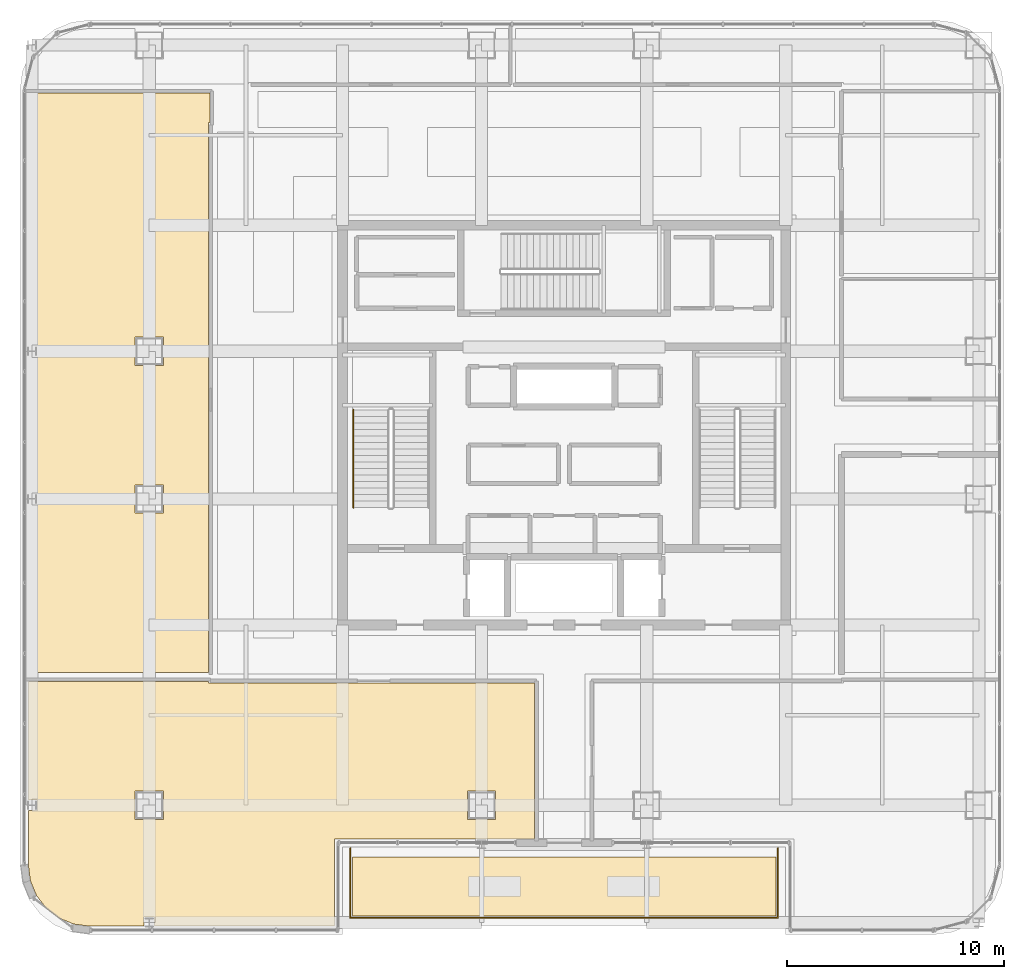
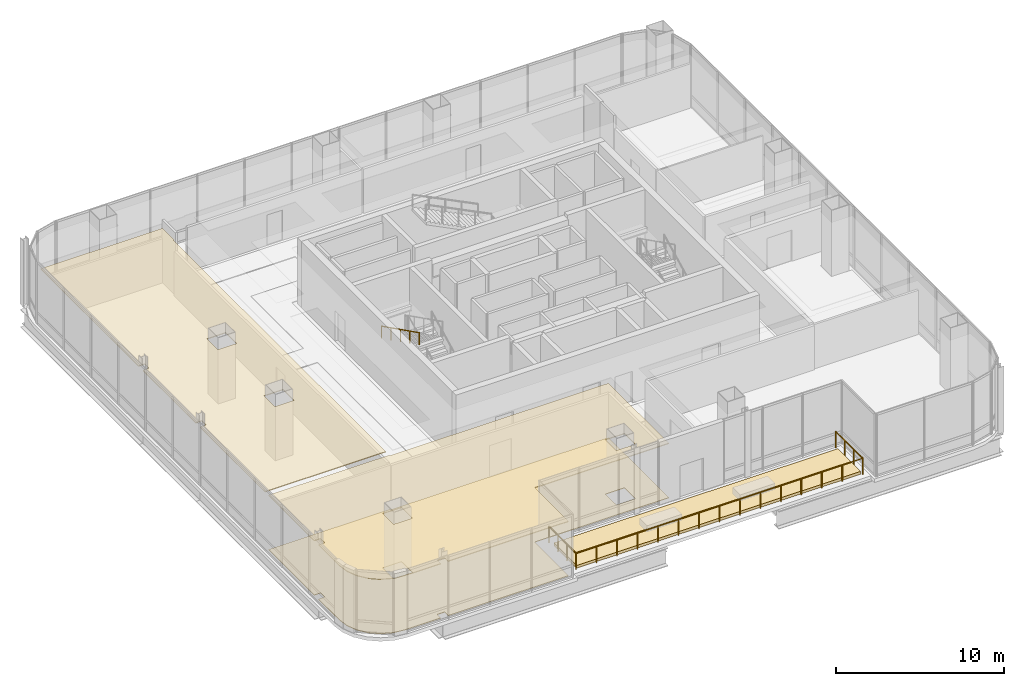
# One storey, part 39 of 44: 4 coverings, 2 railings.
"""IFC4 building model written with IfcOpenShell, lengths in metres."""

from ifc_helpers import new_model, si_unit, direction, frame, origin, origin_2d, place, context, subcontext, project, spatial, polyline, circle, outline, extrude, material, layer, layer_set, type_object, element, save


model = new_model("IFC4")

# Units and contexts
model_context = context("Model", 3, precision=1e-05, world=origin(), true_north=direction((0.0, 1.0)))
body_context = subcontext(model_context, "Body", "Model", "MODEL_VIEW")
ifc_project = project(units=[si_unit("LENGTHUNIT", "METRE"), si_unit("AREAUNIT", "SQUARE_METRE"), si_unit("VOLUMEUNIT", "CUBIC_METRE"), si_unit("PLANEANGLEUNIT", "RADIAN"), si_unit("MASSUNIT", "GRAM", prefix="KILO")], contexts=[model_context])

# Site, building, storey
site_placement = place(None, origin())
site = spatial("IfcSite", under=ifc_project, at=site_placement, CompositionType="ELEMENT")
building_placement = place(site_placement, origin())
building = spatial("IfcBuilding", under=site, at=building_placement, Name="Punatoya Terracotta Tower", CompositionType="ELEMENT")
storey_placement = place(building_placement, frame((0.0, 0.0, 334.199951171875)))
storey = spatial("IfcBuildingStorey", under=building, at=storey_placement, Name="L79", CompositionType="ELEMENT", Elevation=334.199951171875)

# Coverings
ifc_material_1 = material(Name="Acoustic Mineral Fibre Ceiling")
ifc_layer_1 = layer(ifc_material_1, 0.06005859375)
ifc_layer_set_1 = layer_set([ifc_layer_1], Name="Acoustic Mineral Fibre Ceiling")
covering_type_1 = type_object("IfcCoveringType", Name="COV-CEIL-60", PredefinedType="CEILING", material=ifc_layer_set_1)
covering_1_placement = place(storey_placement, frame((0.0, 0.0, 3.929931640625)))
element("IfcCovering", 1, at=covering_1_placement, inside=storey, type_object=covering_type_1, Name="L79 Waterfront Observation Gallery Acoustic Ceiling", PredefinedType="CEILING", context=body_context, shape_type="SweptSolid", body=[
    extrude(outline(polyline([(-18.849609375, -23.070068359375), (-10.580078125, -23.070068359375), (-10.580078125, -19.050048828125), (-1.3701171875, -19.050048828125), (-1.3701171875, -11.8701171875), (-16.3701171875, -11.8701171875), (-16.3701171875, -11.81005859375), (-24.669921875, -11.81005859375), (-24.669921875, -17.25048828125), (-24.24951171875, -17.25048828125), (-24.24951171875, -17.74951171875), (-24.669921875, -17.74951171875), (-24.669921875, -20.22509765625), (-24.57080078125, -20.97900390625), (-24.289306640625, -21.658203125), (-23.841796875, -22.24169921875), (-23.25830078125, -22.689453125), (-22.5791015625, -22.970703125), (-21.8251953125, -23.070068359375), (-19.3505859375, -23.070068359375), (-19.3505859375, -22.650390625), (-18.849609375, -22.650390625), (-18.849609375, -23.070068359375)]), holes=[polyline([(-4.449951171875, -16.85009765625), (-3.14990234375, -16.85009765625), (-3.14990234375, -18.14990234375), (-4.449951171875, -18.14990234375), (-4.449951171875, -16.85009765625)]), polyline([(-19.75, -18.14990234375), (-19.75, -16.85009765625), (-18.449951171875, -16.85009765625), (-18.449951171875, -18.14990234375), (-19.75, -18.14990234375)])]), origin(), (0.0, 0.0, 1.0), 0.06005859375),
])
covering_2_placement = place(storey_placement, frame((0.0, 0.0, 3.929931640625)))
element("IfcCovering", 2, at=covering_2_placement, inside=storey, type_object=covering_type_1, Name="L79 Panoramic Photography Studio Acoustic Ceiling", PredefinedType="CEILING", context=body_context, shape_type="SweptSolid", body=[
    extrude(outline(polyline([(-24.24951171875, -3.150390625), (-24.24951171875, -3.6494140625), (-24.669921875, -3.6494140625), (-24.669921875, -11.389892578125), (-16.3701171875, -11.389892578125), (-16.3701171875, 13.919921875), (-16.31005859375, 13.919921875), (-16.31005859375, 15.2900390625), (-24.669921875, 15.2900390625), (-24.669921875, 3.6494140625), (-24.24951171875, 3.6494140625), (-24.24951171875, 3.150390625), (-24.669921875, 3.150390625), (-24.669921875, -3.150390625), (-24.24951171875, -3.150390625)]), holes=[polyline([(-18.449951171875, -4.050048828125), (-19.75, -4.050048828125), (-19.75, -2.75), (-18.449951171875, -2.75), (-18.449951171875, -4.050048828125)]), polyline([(-18.449951171875, 4.050048828125), (-18.449951171875, 2.75), (-19.75, 2.75), (-19.75, 4.050048828125), (-18.449951171875, 4.050048828125)])]), origin(), (0.0, 0.0, 1.0), 0.06005859375),
])
ifc_material_2 = material(Name="Sandstone & Raised Access Flooring", Category="masonry")
ifc_layer_2 = layer(ifc_material_2, 0.080078125)
ifc_layer_set_2 = layer_set([ifc_layer_2], Name="Sandstone & Raised Access Flooring")
covering_type_2 = type_object("IfcCoveringType", Name="COV-FLR-80", PredefinedType="FLOORING", material=ifc_layer_set_2)
covering_3_placement = place(storey_placement, origin())
element("IfcCovering", 3, at=covering_3_placement, inside=storey, type_object=covering_type_2, Name="L79 Waterfront Observation Gallery Stone Floor Finish", PredefinedType="FLOORING", context=body_context, shape_type="SweptSolid", body=[
    extrude(outline(polyline([(-18.849609375, -23.070068359375), (-10.580078125, -23.070068359375), (-10.580078125, -19.050048828125), (-1.3701171875, -19.050048828125), (-1.3701171875, -11.8701171875), (-16.3701171875, -11.8701171875), (-16.3701171875, -11.81005859375), (-24.669921875, -11.81005859375), (-24.669921875, -17.25048828125), (-24.24951171875, -17.25048828125), (-24.24951171875, -17.74951171875), (-24.669921875, -17.74951171875), (-24.669921875, -20.22509765625), (-24.57080078125, -20.97900390625), (-24.289306640625, -21.658203125), (-23.841796875, -22.24169921875), (-23.25830078125, -22.689453125), (-22.5791015625, -22.970703125), (-21.8251953125, -23.070068359375), (-19.3505859375, -23.070068359375), (-19.3505859375, -22.650390625), (-18.849609375, -22.650390625), (-18.849609375, -23.070068359375)]), holes=[polyline([(-4.449951171875, -16.85009765625), (-3.14990234375, -16.85009765625), (-3.14990234375, -18.14990234375), (-4.449951171875, -18.14990234375), (-4.449951171875, -16.85009765625)]), polyline([(-19.75, -18.14990234375), (-19.75, -16.85009765625), (-18.449951171875, -16.85009765625), (-18.449951171875, -18.14990234375), (-19.75, -18.14990234375)])]), origin(), (0.0, 0.0, 1.0), 0.0400390625),
])
ifc_material_3 = material(Name="Green Roof Planting Soil Medium")
ifc_layer_3 = layer(ifc_material_3, 0.35009765625)
ifc_layer_set_3 = layer_set([ifc_layer_3], Name="Green Roof Planting Soil Medium")
covering_type_3 = type_object("IfcCoveringType", Name="COV-TER-350", PredefinedType="ROOFING", material=ifc_layer_set_3)
covering_4_placement = place(storey_placement, origin())
element("IfcCovering", 4, at=covering_4_placement, inside=storey, type_object=covering_type_3, Name="L79 L79 Public Waterfront Lookout Terrace Planted Soil Bed", PredefinedType="ROOFING", context=body_context, shape_type="SweptSolid", body=[
    extrude(outline(polyline([(-9.75, -22.60009765625), (9.75, -22.60009765625), (9.75, -19.8798828125), (-9.75, -19.8798828125), (-9.75, -22.60009765625)])), origin(), (0.0, 0.0, 1.0), 0.199951171875),
])

# Railings
ifc_material_4 = material(Name="Steel S355", Category="steel")
railing_type_1 = type_object("IfcRailingType", Name="RLG-BAL-1200", PredefinedType="BALUSTRADE", material=ifc_material_4)
railing_1_placement = place(storey_placement, frame((-9.840087890625, -19.47998046875, 0.0)))
element("IfcRailing", 5, at=railing_1_placement, inside=storey, type_object=railing_type_1, Name="L79 L79 Public Waterfront Lookout Terrace Guardrail", PredefinedType="BALUSTRADE", context=body_context, shape_type="SweptSolid", body=[
    extrude(circle(Radius=0.02392578125, at=origin_2d()), frame((0.0, 0.0, 1.17578125), z_axis=(0.0, -1.0, 0.0), x_axis=(1.0, 0.0, 0.0)), (0.0, 0.0, 1.0), 3.2099609375),
    extrude(circle(Radius=0.02392578125, at=origin_2d()), frame((0.0, -3.2099609375, 1.17578125), z_axis=(1.0, 0.0, 0.0), x_axis=(0.0, 1.0, 0.0)), (0.0, 0.0, 1.0), 19.68017578125),
    extrude(circle(Radius=0.02392578125, at=origin_2d()), frame((19.68017578125, -3.2099609375, 1.17578125), z_axis=(0.0, 1.0, 0.0), x_axis=(-1.0, 0.0, 0.0)), (0.0, 0.0, 1.0), 3.2099609375),
    extrude(circle(Radius=0.02099609375, at=origin_2d()), origin(), (0.0, 0.0, 1.0), 1.15185546875),
    extrude(circle(Radius=0.02099609375, at=origin_2d()), frame((0.0, -1.070068359375, 0.0)), (0.0, 0.0, 1.0), 1.15185546875),
    extrude(circle(Radius=0.02099609375, at=origin_2d()), frame((0.0, -2.139892578125, 0.0)), (0.0, 0.0, 1.0), 1.15185546875),
    extrude(circle(Radius=0.02099609375, at=origin_2d()), frame((0.0, -3.2099609375, 0.0)), (0.0, 0.0, 1.0), 1.15185546875),
    extrude(circle(Radius=0.02099609375, at=origin_2d()), frame((1.40576171875, -3.2099609375, 0.0)), (0.0, 0.0, 1.0), 1.15185546875),
    extrude(circle(Radius=0.02099609375, at=origin_2d()), frame((2.8115234375, -3.2099609375, 0.0)), (0.0, 0.0, 1.0), 1.15185546875),
    extrude(circle(Radius=0.02099609375, at=origin_2d()), frame((4.21728515625, -3.2099609375, 0.0)), (0.0, 0.0, 1.0), 1.15185546875),
    extrude(circle(Radius=0.02099609375, at=origin_2d()), frame((5.622802734375, -3.2099609375, 0.0)), (0.0, 0.0, 1.0), 1.15185546875),
    extrude(circle(Radius=0.02099609375, at=origin_2d()), frame((7.028564453125, -3.2099609375, 0.0)), (0.0, 0.0, 1.0), 1.15185546875),
    extrude(circle(Radius=0.02099609375, at=origin_2d()), frame((8.434326171875, -3.2099609375, 0.0)), (0.0, 0.0, 1.0), 1.15185546875),
    extrude(circle(Radius=0.02099609375, at=origin_2d()), frame((9.840087890625, -3.2099609375, 0.0)), (0.0, 0.0, 1.0), 1.15185546875),
    extrude(circle(Radius=0.02099609375, at=origin_2d()), frame((11.245849609375, -3.2099609375, 0.0)), (0.0, 0.0, 1.0), 1.15185546875),
    extrude(circle(Radius=0.02099609375, at=origin_2d()), frame((12.651611328125, -3.2099609375, 0.0)), (0.0, 0.0, 1.0), 1.15185546875),
    extrude(circle(Radius=0.02099609375, at=origin_2d()), frame((14.057373046875, -3.2099609375, 0.0)), (0.0, 0.0, 1.0), 1.15185546875),
    extrude(circle(Radius=0.02099609375, at=origin_2d()), frame((15.462890625, -3.2099609375, 0.0)), (0.0, 0.0, 1.0), 1.15185546875),
    extrude(circle(Radius=0.02099609375, at=origin_2d()), frame((16.86865234375, -3.2099609375, 0.0)), (0.0, 0.0, 1.0), 1.15185546875),
    extrude(circle(Radius=0.02099609375, at=origin_2d()), frame((18.2744140625, -3.2099609375, 0.0)), (0.0, 0.0, 1.0), 1.15185546875),
    extrude(circle(Radius=0.02099609375, at=origin_2d()), frame((19.68017578125, -3.2099609375, 0.0)), (0.0, 0.0, 1.0), 1.15185546875),
    extrude(circle(Radius=0.02099609375, at=origin_2d()), frame((19.68017578125, -2.139892578125, 0.0)), (0.0, 0.0, 1.0), 1.15185546875),
    extrude(circle(Radius=0.02099609375, at=origin_2d()), frame((19.68017578125, -1.070068359375, 0.0)), (0.0, 0.0, 1.0), 1.15185546875),
    extrude(circle(Radius=0.02099609375, at=origin_2d()), frame((19.68017578125, 0.0, 0.0)), (0.0, 0.0, 1.0), 1.15185546875),
])
railing_type_2 = type_object("IfcRailingType", Name="RLG-HND-900", PredefinedType="HANDRAIL", material=ifc_material_4)
railing_2_placement = place(storey_placement, frame((-9.699951171875, 0.699951171875, 2.550048828125)))
element("IfcRailing", 6, at=railing_2_placement, inside=storey, type_object=railing_type_2, Name="L79 ST-1 stair handrail 2", PredefinedType="HANDRAIL", context=body_context, shape_type="SweptSolid", body=[
    extrude(circle(Radius=0.02392578125, at=origin_2d()), frame((0.0, 0.0, 0.8759765625), z_axis=(0.0, -0.894427191, 0.4472135955), x_axis=(1.0, 0.0, 0.0)), (0.0, 0.0, 1.0), 5.03125),
    extrude(circle(Radius=0.02099609375, at=origin_2d()), origin(), (0.0, 0.0, 1.0), 0.851806640625),
    extrude(circle(Radius=0.02099609375, at=origin_2d()), frame((0.0, -1.125, 0.5625)), (0.0, 0.0, 1.0), 0.851806640625),
    extrude(circle(Radius=0.02099609375, at=origin_2d()), frame((0.0, -2.25, 1.125)), (0.0, 0.0, 1.0), 0.851806640625),
    extrude(circle(Radius=0.02099609375, at=origin_2d()), frame((0.0, -3.375, 1.6875)), (0.0, 0.0, 1.0), 0.851806640625),
    extrude(circle(Radius=0.02099609375, at=origin_2d()), frame((0.0, -4.5, 2.25)), (0.0, 0.0, 1.0), 0.851806640625),
])

save(model, "model.ifc")
